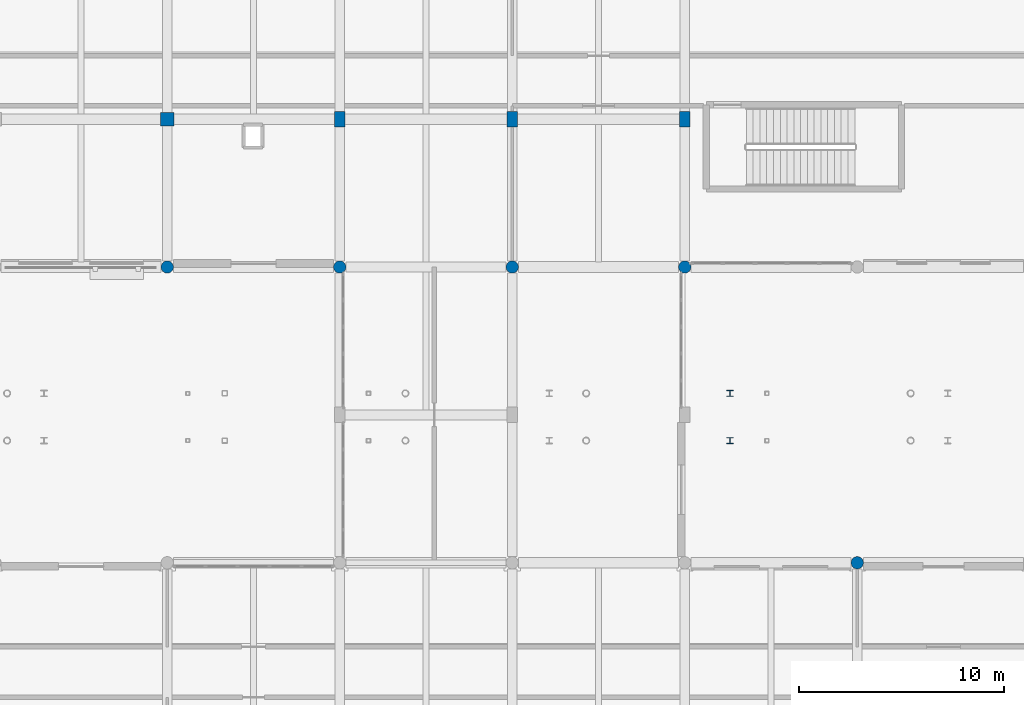
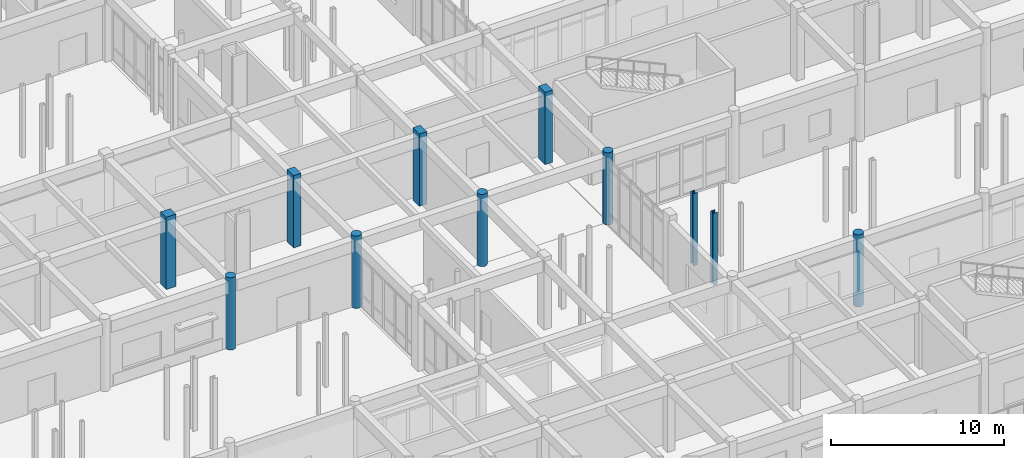
# One storey, part 7 of 121: 11 columns.
"""IFC4 building model written with IfcOpenShell, lengths in metres."""

from ifc_helpers import new_model, si_unit, direction, frame, origin, origin_2d, place, context, subcontext, project, spatial, rectangle, circle, i_section, extrude, material, material_profile, profile_set, type_object, element, save


model = new_model("IFC4")

# Units and contexts
model_context = context("Model", 3, precision=1e-05, world=origin(), true_north=direction((0.0, 1.0)))
body_context = subcontext(model_context, "Body", "Model", "MODEL_VIEW")
ifc_project = project(units=[si_unit("LENGTHUNIT", "METRE"), si_unit("AREAUNIT", "SQUARE_METRE"), si_unit("VOLUMEUNIT", "CUBIC_METRE"), si_unit("PLANEANGLEUNIT", "RADIAN"), si_unit("MASSUNIT", "GRAM", prefix="KILO")], contexts=[model_context])

# Site, building, storey
site_placement = place(None, origin())
site = spatial("IfcSite", under=ifc_project, at=site_placement, CompositionType="ELEMENT")
building_placement = place(site_placement, origin())
building = spatial("IfcBuilding", under=site, at=building_placement, Name="Malvenik Polytechnic", CompositionType="ELEMENT")
storey_placement = place(building_placement, origin())
storey = spatial("IfcBuildingStorey", under=building, at=storey_placement, Name="L00", CompositionType="ELEMENT", Elevation=0.0)

# Columns
ifc_material_1 = material(Name="Concrete C35/45", Category="concrete")
ifc_material_profile_1 = material_profile(ifc_material_1, rectangle(XDim=0.64990234375, YDim=0.64990234375, at=origin_2d()), Name="RC COL 650x650")
ifc_profile_set_1 = profile_set([ifc_material_profile_1], Name="Concrete C35/45")
column_type_1 = type_object("IfcColumnType", Name="STR-COL-C-05", PredefinedType="COLUMN", material=ifc_profile_set_1)
column_placement = place(storey_placement, frame((67.199951171875, 57.60009765625, 0.0), z_axis=(0.0, 0.0, 1.0), x_axis=(1.0, 0.0, 0.0)))
element("IfcColumn", 1, at=column_placement, inside=storey, type_object=column_type_1, Name="Column C-05 L00 (67.2,57.6)", PredefinedType="COLUMN", context=body_context, shape_type="SweptSolid", body=[
    extrude(rectangle(XDim=0.64990234375, YDim=0.64990234375, at=origin_2d()), origin(), (0.0, 0.0, 1.0), 5.10009765625),
])
ifc_material_profile_2 = material_profile(ifc_material_1, rectangle(XDim=0.5, YDim=0.75, at=origin_2d()), Name="RC COL 750x500")
ifc_profile_set_2 = profile_set([ifc_material_profile_2], Name="Concrete C35/45")
column_type_2 = type_object("IfcColumnType", Name="STR-COL-C-14", PredefinedType="COLUMN", material=ifc_profile_set_2)
for number, where, z_axis, x_axis, name in (
    (2, (75.60009765625, 57.60009765625, 0.0), (0.0, 0.0, 1.0), (1.0, 0.0, 0.0), "Column C-14 L00 (75.6,57.6)"),
    (3, (84.0, 57.60009765625, 0.0), (0.0, 0.0, 1.0), (1.0, 0.0, 0.0), "Column C-14 L00 (84.0,57.6)"),
    (4, (92.39990234375, 57.60009765625, 0.0), (0.0, 0.0, 1.0), (1.0, 0.0, 0.0), "Column C-14 L00 (92.4,57.6)"),
):
    element("IfcColumn", number, at=place(storey_placement, frame(where, z_axis=z_axis, x_axis=x_axis)), inside=storey, type_object=column_type_2, Name=name, PredefinedType="COLUMN", context=body_context, shape_type="SweptSolid", body=[
        extrude(rectangle(XDim=0.5, YDim=0.75, at=origin_2d()), origin(), (0.0, 0.0, 1.0), 5.10009765625),
    ])
ifc_material_profile_3 = material_profile(ifc_material_1, circle(Radius=0.300048828125, at=origin_2d()), Name="RC COL D600")
ifc_profile_set_3 = profile_set([ifc_material_profile_3], Name="Concrete C35/45")
column_type_3 = type_object("IfcColumnType", Name="STR-COL-C-18", PredefinedType="COLUMN", material=ifc_profile_set_3)
for number, where, z_axis, x_axis, name in (
    (5, (67.199951171875, 50.39990234375, 0.0), (0.0, 0.0, 1.0), (1.0, 0.0, 0.0), "Column C-18 L00 (67.2,50.4)"),
    (6, (75.60009765625, 50.39990234375, 0.0), (0.0, 0.0, 1.0), (1.0, 0.0, 0.0), "Column C-18 L00 (75.6,50.4)"),
    (7, (84.0, 50.39990234375, 0.0), (0.0, 0.0, 1.0), (1.0, 0.0, 0.0), "Column C-18 L00 (84.0,50.4)"),
    (8, (92.39990234375, 50.39990234375, 0.0), (0.0, 0.0, 1.0), (1.0, 0.0, 0.0), "Column C-18 L00 (92.4,50.4)"),
    (9, (100.800048828125, 36.0, 0.0), (0.0, 0.0, 1.0), (1.0, 0.0, 0.0), "Column C-18 L00 (100.8,36.0)"),
):
    element("IfcColumn", number, at=place(storey_placement, frame(where, z_axis=z_axis, x_axis=x_axis)), inside=storey, type_object=column_type_3, Name=name, PredefinedType="COLUMN", context=body_context, shape_type="SweptSolid", body=[
        extrude(circle(Radius=0.300048828125, at=origin_2d()), origin(), (0.0, 0.0, 1.0), 5.10009765625),
    ])
ifc_material_2 = material(Name="Steel S355", Category="steel")
ifc_material_profile_4 = material_profile(ifc_material_2, i_section(OverallWidth=0.300048828125, OverallDepth=0.300048828125, WebThickness=0.010986328125, FlangeThickness=0.01904296875, FilletRadius=0.027099609375, at=origin_2d()), Name="HEB 300")
ifc_profile_set_4 = profile_set([ifc_material_profile_4], Name="Steel S355")
column_type_4 = type_object("IfcColumnType", Name="STR-SCOL-SC-05", PredefinedType="COLUMN", material=ifc_profile_set_4)
for number, where, z_axis, x_axis, name in (
    (10, (94.60009765625, 41.949951171875, 0.0), (0.0, 0.0, 1.0), (1.0, 0.0, 0.0), "Bridge-Ramp Support Column SC-05 L00"),
    (11, (94.60009765625, 44.25, 0.0), (0.0, 0.0, 1.0), (1.0, 0.0, 0.0), "Bridge-Ramp Support Column SC-05 L00"),
):
    element("IfcColumn", number, at=place(storey_placement, frame(where, z_axis=z_axis, x_axis=x_axis)), inside=storey, type_object=column_type_4, Name=name, PredefinedType="COLUMN", context=body_context, shape_type="SweptSolid", body=[
        extrude(i_section(OverallWidth=0.300048828125, OverallDepth=0.300048828125, WebThickness=0.010986328125, FlangeThickness=0.01904296875, FilletRadius=0.027099609375, at=origin_2d()), origin(), (0.0, 0.0, 1.0), 5.10009765625),
    ])

save(model, "model.ifc")
